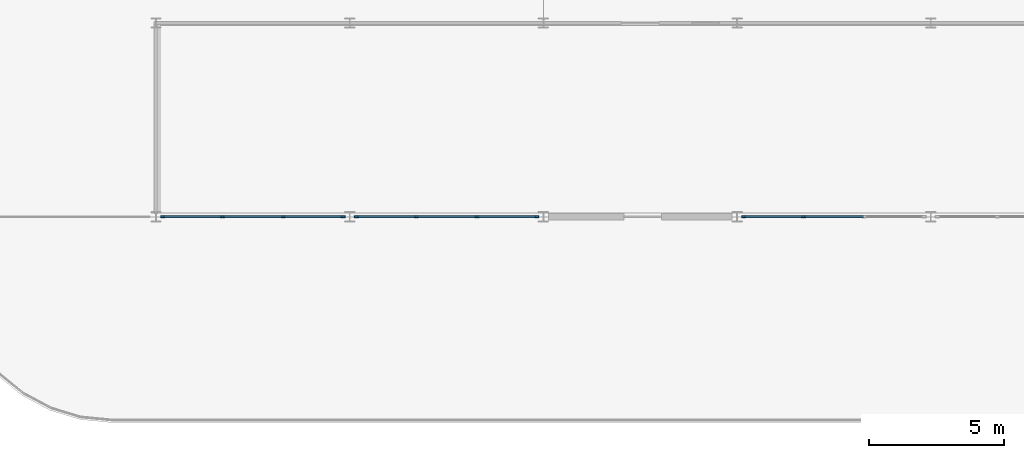
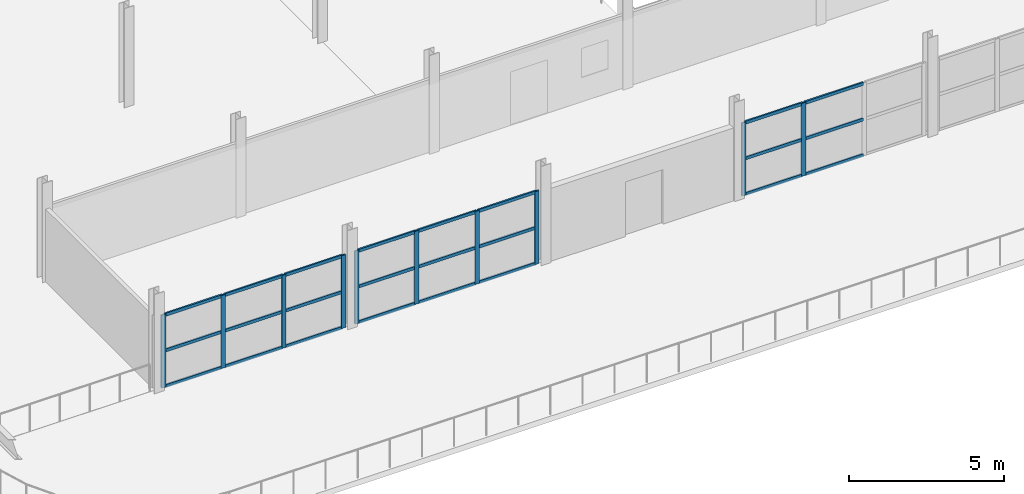
# One storey, part 13 of 40: 34 members, 3 elements without a shape of their own.
"""IFC4 building model written with IfcOpenShell, lengths in metres."""

from ifc_helpers import new_model, si_unit, direction, frame, origin, origin_2d, place, context, subcontext, project, spatial, rectangle, extrude, material, material_profile, profile_set, type_object, element, aggregate, save


model = new_model("IFC4")

# Units and contexts
model_context = context("Model", 3, precision=1e-05, world=origin(), true_north=direction((0.0, 1.0)))
body_context = subcontext(model_context, "Body", "Model", "MODEL_VIEW")
ifc_project = project(units=[si_unit("LENGTHUNIT", "METRE"), si_unit("AREAUNIT", "SQUARE_METRE"), si_unit("VOLUMEUNIT", "CUBIC_METRE"), si_unit("PLANEANGLEUNIT", "RADIAN"), si_unit("MASSUNIT", "GRAM", prefix="KILO")], contexts=[model_context])

# Site, building, storey
site_placement = place(None, origin())
site = spatial("IfcSite", under=ifc_project, at=site_placement, CompositionType="ELEMENT")
building_placement = place(site_placement, origin())
building = spatial("IfcBuilding", under=site, at=building_placement, Name="Vaelcorin Mobility Hub", CompositionType="ELEMENT")
storey_placement = place(building_placement, frame((0.0, 0.0, 17.10009765625)))
storey = spatial("IfcBuildingStorey", under=building, at=storey_placement, Name="L04", CompositionType="ELEMENT", Elevation=17.10009765625)

# Curtain wall, members
ifc_material = material(Name="Anodised aluminium 6063-T6", Category="aluminium")
curtain_wall_type = type_object("IfcCurtainWallType", Name="CW-MOB-A", PredefinedType="NOTDEFINED", material=ifc_material)
curtain_wall_1_placement = place(storey_placement, origin())
curtain_wall_1 = element("IfcCurtainWall", 1, at=curtain_wall_1_placement, inside=storey, type_object=curtain_wall_type, Name="L04 Curtain Wall CW-V4-L04-S-02", PredefinedType="NOTDEFINED")
ifc_material_profile_1 = material_profile(ifc_material, rectangle(XDim=0.06005859375, YDim=0.159912109375, at=origin_2d()), Name="ALU-M60X160")
ifc_profile_set_1 = profile_set([ifc_material_profile_1], Name="Anodised aluminium 6063-T6")
member_type_1 = type_object("IfcMemberType", Name="CW-MULL-160", PredefinedType="MULLION", material=ifc_profile_set_1)
member_1_placement = place(storey_placement, frame((50.14990234375, 84.0, 0.0), z_axis=(0.0, 0.0, 1.0), x_axis=(0.0, -1.0, 0.0)))
member_1 = element("IfcMember", 2, at=member_1_placement, type_object=member_type_1, Name="CW7 mullion 1", PredefinedType="MULLION", context=body_context, shape_type="SweptSolid", body=[
    extrude(rectangle(XDim=0.06005859375, YDim=0.159912109375, at=origin_2d()), origin(), (0.0, 0.0, 1.0), 2.867919921875),
])
member_2_placement = place(storey_placement, frame((47.9267578125, 84.0, 0.0), z_axis=(0.0, 0.0, 1.0), x_axis=(0.0, -1.0, 0.0)))
member_2 = element("IfcMember", 3, at=member_2_placement, type_object=member_type_1, Name="CW7 mullion 2", PredefinedType="MULLION", context=body_context, shape_type="SweptSolid", body=[
    extrude(rectangle(XDim=0.06005859375, YDim=0.159912109375, at=origin_2d()), origin(), (0.0, 0.0, 1.0), 2.867919921875),
])
member_3_placement = place(storey_placement, frame((45.67333984375, 84.0, 0.0), z_axis=(0.0, 0.0, 1.0), x_axis=(0.0, -1.0, 0.0)))
member_3 = element("IfcMember", 4, at=member_3_placement, type_object=member_type_1, Name="CW7 mullion 3", PredefinedType="MULLION", context=body_context, shape_type="SweptSolid", body=[
    extrude(rectangle(XDim=0.06005859375, YDim=0.159912109375, at=origin_2d()), origin(), (0.0, 0.0, 1.0), 2.867919921875),
])
member_4_placement = place(storey_placement, frame((43.449951171875, 84.0, 0.0), z_axis=(0.0, 0.0, 1.0), x_axis=(0.0, -1.0, 0.0)))
member_4 = element("IfcMember", 5, at=member_4_placement, type_object=member_type_1, Name="CW7 mullion 4", PredefinedType="MULLION", context=body_context, shape_type="SweptSolid", body=[
    extrude(rectangle(XDim=0.06005859375, YDim=0.159912109375, at=origin_2d()), origin(), (0.0, 0.0, 1.0), 2.867919921875),
])

curtain_wall_2_placement = place(storey_placement, origin())
curtain_wall_2 = element("IfcCurtainWall", 6, at=curtain_wall_2_placement, inside=storey, type_object=curtain_wall_type, Name="L04 Curtain Wall CW-V4-L04-S-03", PredefinedType="NOTDEFINED")
member_5_placement = place(storey_placement, frame((57.35009765625, 84.0, 0.0), z_axis=(0.0, 0.0, 1.0), x_axis=(0.0, -1.0, 0.0)))
member_5 = element("IfcMember", 7, at=member_5_placement, type_object=member_type_1, Name="CW7 mullion 1", PredefinedType="MULLION", context=body_context, shape_type="SweptSolid", body=[
    extrude(rectangle(XDim=0.06005859375, YDim=0.159912109375, at=origin_2d()), origin(), (0.0, 0.0, 1.0), 2.867919921875),
])
member_6_placement = place(storey_placement, frame((55.126708984375, 84.0, 0.0), z_axis=(0.0, 0.0, 1.0), x_axis=(0.0, -1.0, 0.0)))
member_6 = element("IfcMember", 8, at=member_6_placement, type_object=member_type_1, Name="CW7 mullion 2", PredefinedType="MULLION", context=body_context, shape_type="SweptSolid", body=[
    extrude(rectangle(XDim=0.06005859375, YDim=0.159912109375, at=origin_2d()), origin(), (0.0, 0.0, 1.0), 2.867919921875),
])
member_7_placement = place(storey_placement, frame((52.873291015625, 84.0, 0.0), z_axis=(0.0, 0.0, 1.0), x_axis=(0.0, -1.0, 0.0)))
member_7 = element("IfcMember", 9, at=member_7_placement, type_object=member_type_1, Name="CW7 mullion 3", PredefinedType="MULLION", context=body_context, shape_type="SweptSolid", body=[
    extrude(rectangle(XDim=0.06005859375, YDim=0.159912109375, at=origin_2d()), origin(), (0.0, 0.0, 1.0), 2.867919921875),
])
member_8_placement = place(storey_placement, frame((50.64990234375, 84.0, 0.0), z_axis=(0.0, 0.0, 1.0), x_axis=(0.0, -1.0, 0.0)))
member_8 = element("IfcMember", 10, at=member_8_placement, type_object=member_type_1, Name="CW7 mullion 4", PredefinedType="MULLION", context=body_context, shape_type="SweptSolid", body=[
    extrude(rectangle(XDim=0.06005859375, YDim=0.159912109375, at=origin_2d()), origin(), (0.0, 0.0, 1.0), 2.867919921875),
])

curtain_wall_3_placement = place(storey_placement, origin())
curtain_wall_3 = element("IfcCurtainWall", 11, at=curtain_wall_3_placement, inside=storey, type_object=curtain_wall_type, Name="L04 Curtain Wall CW-V4-L04-S-05", PredefinedType="NOTDEFINED")
member_9_placement = place(storey_placement, frame((67.2734375, 84.0, 0.0), z_axis=(0.0, 0.0, 1.0), x_axis=(0.0, -1.0, 0.0)))
member_9 = element("IfcMember", 12, at=member_9_placement, type_object=member_type_1, Name="CW7 mullion 3", PredefinedType="MULLION", context=body_context, shape_type="SweptSolid", body=[
    extrude(rectangle(XDim=0.06005859375, YDim=0.159912109375, at=origin_2d()), origin(), (0.0, 0.0, 1.0), 2.867919921875),
])
member_10_placement = place(storey_placement, frame((65.050048828125, 84.0, 0.0), z_axis=(0.0, 0.0, 1.0), x_axis=(0.0, -1.0, 0.0)))
member_10 = element("IfcMember", 13, at=member_10_placement, type_object=member_type_1, Name="CW7 mullion 4", PredefinedType="MULLION", context=body_context, shape_type="SweptSolid", body=[
    extrude(rectangle(XDim=0.06005859375, YDim=0.159912109375, at=origin_2d()), origin(), (0.0, 0.0, 1.0), 2.867919921875),
])

# Member
ifc_material_profile_2 = material_profile(ifc_material, rectangle(XDim=0.06005859375, YDim=0.1201171875, at=origin_2d()), Name="ALU-T60X120")
ifc_profile_set_2 = profile_set([ifc_material_profile_2], Name="Anodised aluminium 6063-T6")
member_type_2 = type_object("IfcMemberType", Name="CW-TRAN-140", PredefinedType="USERDEFINED", material=ifc_profile_set_2)
member_11_placement = place(storey_placement, frame((50.1201171875, 84.0, 0.02978515625), z_axis=(-1.0, 0.0, 0.0), x_axis=(0.0, -1.0, 0.0)))
member_11 = element("IfcMember", 14, at=member_11_placement, type_object=member_type_2, Name="CW7 transom 1.1", ObjectType="TRANSOM", PredefinedType="USERDEFINED", context=body_context, shape_type="SweptSolid", body=[
    extrude(rectangle(XDim=0.06005859375, YDim=0.1201171875, at=origin_2d()), origin(), (0.0, 0.0, 1.0), 2.163330078125),
])

member_12_placement = place(storey_placement, frame((50.1201171875, 84.0, 1.433837890625), z_axis=(-1.0, 0.0, 0.0), x_axis=(0.0, -1.0, 0.0)))
member_12 = element("IfcMember", 15, at=member_12_placement, type_object=member_type_2, Name="CW7 transom 1.2", ObjectType="TRANSOM", PredefinedType="USERDEFINED", context=body_context, shape_type="SweptSolid", body=[
    extrude(rectangle(XDim=0.06005859375, YDim=0.1201171875, at=origin_2d()), origin(), (0.0, 0.0, 1.0), 2.163330078125),
])

member_13_placement = place(storey_placement, frame((50.1201171875, 84.0, 2.837890625), z_axis=(-1.0, 0.0, 0.0), x_axis=(0.0, -1.0, 0.0)))
member_13 = element("IfcMember", 16, at=member_13_placement, type_object=member_type_2, Name="CW7 transom 1.3", ObjectType="TRANSOM", PredefinedType="USERDEFINED", context=body_context, shape_type="SweptSolid", body=[
    extrude(rectangle(XDim=0.06005859375, YDim=0.1201171875, at=origin_2d()), origin(), (0.0, 0.0, 1.0), 2.163330078125),
])

member_14_placement = place(storey_placement, frame((47.896728515625, 84.0, 0.02978515625), z_axis=(-1.0, 0.0, 0.0), x_axis=(0.0, -1.0, 0.0)))
member_14 = element("IfcMember", 17, at=member_14_placement, type_object=member_type_2, Name="CW7 transom 2.1", ObjectType="TRANSOM", PredefinedType="USERDEFINED", context=body_context, shape_type="SweptSolid", body=[
    extrude(rectangle(XDim=0.06005859375, YDim=0.1201171875, at=origin_2d()), origin(), (0.0, 0.0, 1.0), 2.193359375),
])

member_15_placement = place(storey_placement, frame((47.896728515625, 84.0, 1.433837890625), z_axis=(-1.0, 0.0, 0.0), x_axis=(0.0, -1.0, 0.0)))
member_15 = element("IfcMember", 18, at=member_15_placement, type_object=member_type_2, Name="CW7 transom 2.2", ObjectType="TRANSOM", PredefinedType="USERDEFINED", context=body_context, shape_type="SweptSolid", body=[
    extrude(rectangle(XDim=0.06005859375, YDim=0.1201171875, at=origin_2d()), origin(), (0.0, 0.0, 1.0), 2.193359375),
])

member_16_placement = place(storey_placement, frame((47.896728515625, 84.0, 2.837890625), z_axis=(-1.0, 0.0, 0.0), x_axis=(0.0, -1.0, 0.0)))
member_16 = element("IfcMember", 19, at=member_16_placement, type_object=member_type_2, Name="CW7 transom 2.3", ObjectType="TRANSOM", PredefinedType="USERDEFINED", context=body_context, shape_type="SweptSolid", body=[
    extrude(rectangle(XDim=0.06005859375, YDim=0.1201171875, at=origin_2d()), origin(), (0.0, 0.0, 1.0), 2.193359375),
])

member_17_placement = place(storey_placement, frame((45.643310546875, 84.0, 0.02978515625), z_axis=(-1.0, 0.0, 0.0), x_axis=(0.0, -1.0, 0.0)))
member_17 = element("IfcMember", 20, at=member_17_placement, type_object=member_type_2, Name="CW7 transom 3.1", ObjectType="TRANSOM", PredefinedType="USERDEFINED", context=body_context, shape_type="SweptSolid", body=[
    extrude(rectangle(XDim=0.06005859375, YDim=0.1201171875, at=origin_2d()), origin(), (0.0, 0.0, 1.0), 2.163330078125),
])

member_18_placement = place(storey_placement, frame((45.643310546875, 84.0, 1.433837890625), z_axis=(-1.0, 0.0, 0.0), x_axis=(0.0, -1.0, 0.0)))
member_18 = element("IfcMember", 21, at=member_18_placement, type_object=member_type_2, Name="CW7 transom 3.2", ObjectType="TRANSOM", PredefinedType="USERDEFINED", context=body_context, shape_type="SweptSolid", body=[
    extrude(rectangle(XDim=0.06005859375, YDim=0.1201171875, at=origin_2d()), origin(), (0.0, 0.0, 1.0), 2.163330078125),
])

member_19_placement = place(storey_placement, frame((45.643310546875, 84.0, 2.837890625), z_axis=(-1.0, 0.0, 0.0), x_axis=(0.0, -1.0, 0.0)))
member_19 = element("IfcMember", 22, at=member_19_placement, type_object=member_type_2, Name="CW7 transom 3.3", ObjectType="TRANSOM", PredefinedType="USERDEFINED", context=body_context, shape_type="SweptSolid", body=[
    extrude(rectangle(XDim=0.06005859375, YDim=0.1201171875, at=origin_2d()), origin(), (0.0, 0.0, 1.0), 2.163330078125),
])

aggregate(curtain_wall_1, [member_1, member_2, member_3, member_4, member_11, member_12, member_13, member_14, member_15, member_16, member_17, member_18, member_19])

member_20_placement = place(storey_placement, frame((57.320068359375, 84.0, 0.02978515625), z_axis=(-1.0, 0.0, 0.0), x_axis=(0.0, -1.0, 0.0)))
member_20 = element("IfcMember", 23, at=member_20_placement, type_object=member_type_2, Name="CW7 transom 1.1", ObjectType="TRANSOM", PredefinedType="USERDEFINED", context=body_context, shape_type="SweptSolid", body=[
    extrude(rectangle(XDim=0.06005859375, YDim=0.1201171875, at=origin_2d()), origin(), (0.0, 0.0, 1.0), 2.163330078125),
])

member_21_placement = place(storey_placement, frame((57.320068359375, 84.0, 1.433837890625), z_axis=(-1.0, 0.0, 0.0), x_axis=(0.0, -1.0, 0.0)))
member_21 = element("IfcMember", 24, at=member_21_placement, type_object=member_type_2, Name="CW7 transom 1.2", ObjectType="TRANSOM", PredefinedType="USERDEFINED", context=body_context, shape_type="SweptSolid", body=[
    extrude(rectangle(XDim=0.06005859375, YDim=0.1201171875, at=origin_2d()), origin(), (0.0, 0.0, 1.0), 2.163330078125),
])

member_22_placement = place(storey_placement, frame((57.320068359375, 84.0, 2.837890625), z_axis=(-1.0, 0.0, 0.0), x_axis=(0.0, -1.0, 0.0)))
member_22 = element("IfcMember", 25, at=member_22_placement, type_object=member_type_2, Name="CW7 transom 1.3", ObjectType="TRANSOM", PredefinedType="USERDEFINED", context=body_context, shape_type="SweptSolid", body=[
    extrude(rectangle(XDim=0.06005859375, YDim=0.1201171875, at=origin_2d()), origin(), (0.0, 0.0, 1.0), 2.163330078125),
])

member_23_placement = place(storey_placement, frame((55.0966796875, 84.0, 0.02978515625), z_axis=(-1.0, 0.0, 0.0), x_axis=(0.0, -1.0, 0.0)))
member_23 = element("IfcMember", 26, at=member_23_placement, type_object=member_type_2, Name="CW7 transom 2.1", ObjectType="TRANSOM", PredefinedType="USERDEFINED", context=body_context, shape_type="SweptSolid", body=[
    extrude(rectangle(XDim=0.06005859375, YDim=0.1201171875, at=origin_2d()), origin(), (0.0, 0.0, 1.0), 2.193359375),
])

member_24_placement = place(storey_placement, frame((55.0966796875, 84.0, 1.433837890625), z_axis=(-1.0, 0.0, 0.0), x_axis=(0.0, -1.0, 0.0)))
member_24 = element("IfcMember", 27, at=member_24_placement, type_object=member_type_2, Name="CW7 transom 2.2", ObjectType="TRANSOM", PredefinedType="USERDEFINED", context=body_context, shape_type="SweptSolid", body=[
    extrude(rectangle(XDim=0.06005859375, YDim=0.1201171875, at=origin_2d()), origin(), (0.0, 0.0, 1.0), 2.193359375),
])

member_25_placement = place(storey_placement, frame((55.0966796875, 84.0, 2.837890625), z_axis=(-1.0, 0.0, 0.0), x_axis=(0.0, -1.0, 0.0)))
member_25 = element("IfcMember", 28, at=member_25_placement, type_object=member_type_2, Name="CW7 transom 2.3", ObjectType="TRANSOM", PredefinedType="USERDEFINED", context=body_context, shape_type="SweptSolid", body=[
    extrude(rectangle(XDim=0.06005859375, YDim=0.1201171875, at=origin_2d()), origin(), (0.0, 0.0, 1.0), 2.193359375),
])

member_26_placement = place(storey_placement, frame((52.84326171875, 84.0, 0.02978515625), z_axis=(-1.0, 0.0, 0.0), x_axis=(0.0, -1.0, 0.0)))
member_26 = element("IfcMember", 29, at=member_26_placement, type_object=member_type_2, Name="CW7 transom 3.1", ObjectType="TRANSOM", PredefinedType="USERDEFINED", context=body_context, shape_type="SweptSolid", body=[
    extrude(rectangle(XDim=0.06005859375, YDim=0.1201171875, at=origin_2d()), origin(), (0.0, 0.0, 1.0), 2.163330078125),
])

member_27_placement = place(storey_placement, frame((52.84326171875, 84.0, 1.433837890625), z_axis=(-1.0, 0.0, 0.0), x_axis=(0.0, -1.0, 0.0)))
member_27 = element("IfcMember", 30, at=member_27_placement, type_object=member_type_2, Name="CW7 transom 3.2", ObjectType="TRANSOM", PredefinedType="USERDEFINED", context=body_context, shape_type="SweptSolid", body=[
    extrude(rectangle(XDim=0.06005859375, YDim=0.1201171875, at=origin_2d()), origin(), (0.0, 0.0, 1.0), 2.163330078125),
])

member_28_placement = place(storey_placement, frame((52.84326171875, 84.0, 2.837890625), z_axis=(-1.0, 0.0, 0.0), x_axis=(0.0, -1.0, 0.0)))
member_28 = element("IfcMember", 31, at=member_28_placement, type_object=member_type_2, Name="CW7 transom 3.3", ObjectType="TRANSOM", PredefinedType="USERDEFINED", context=body_context, shape_type="SweptSolid", body=[
    extrude(rectangle(XDim=0.06005859375, YDim=0.1201171875, at=origin_2d()), origin(), (0.0, 0.0, 1.0), 2.163330078125),
])

aggregate(curtain_wall_2, [member_5, member_6, member_7, member_8, member_20, member_21, member_22, member_23, member_24, member_25, member_26, member_27, member_28])

member_29_placement = place(storey_placement, frame((69.49658203125, 84.0, 0.02978515625), z_axis=(-1.0, 0.0, 0.0), x_axis=(0.0, -1.0, 0.0)))
member_29 = element("IfcMember", 32, at=member_29_placement, type_object=member_type_2, Name="CW7 transom 2.1", ObjectType="TRANSOM", PredefinedType="USERDEFINED", context=body_context, shape_type="SweptSolid", body=[
    extrude(rectangle(XDim=0.06005859375, YDim=0.1201171875, at=origin_2d()), origin(), (0.0, 0.0, 1.0), 2.193359375),
])

member_30_placement = place(storey_placement, frame((69.49658203125, 84.0, 1.433837890625), z_axis=(-1.0, 0.0, 0.0), x_axis=(0.0, -1.0, 0.0)))
member_30 = element("IfcMember", 33, at=member_30_placement, type_object=member_type_2, Name="CW7 transom 2.2", ObjectType="TRANSOM", PredefinedType="USERDEFINED", context=body_context, shape_type="SweptSolid", body=[
    extrude(rectangle(XDim=0.06005859375, YDim=0.1201171875, at=origin_2d()), origin(), (0.0, 0.0, 1.0), 2.193359375),
])

member_31_placement = place(storey_placement, frame((69.49658203125, 84.0, 2.837890625), z_axis=(-1.0, 0.0, 0.0), x_axis=(0.0, -1.0, 0.0)))
member_31 = element("IfcMember", 34, at=member_31_placement, type_object=member_type_2, Name="CW7 transom 2.3", ObjectType="TRANSOM", PredefinedType="USERDEFINED", context=body_context, shape_type="SweptSolid", body=[
    extrude(rectangle(XDim=0.06005859375, YDim=0.1201171875, at=origin_2d()), origin(), (0.0, 0.0, 1.0), 2.193359375),
])

member_32_placement = place(storey_placement, frame((67.243408203125, 84.0, 0.02978515625), z_axis=(-1.0, 0.0, 0.0), x_axis=(0.0, -1.0, 0.0)))
member_32 = element("IfcMember", 35, at=member_32_placement, type_object=member_type_2, Name="CW7 transom 3.1", ObjectType="TRANSOM", PredefinedType="USERDEFINED", context=body_context, shape_type="SweptSolid", body=[
    extrude(rectangle(XDim=0.06005859375, YDim=0.1201171875, at=origin_2d()), origin(), (0.0, 0.0, 1.0), 2.163330078125),
])

member_33_placement = place(storey_placement, frame((67.243408203125, 84.0, 1.433837890625), z_axis=(-1.0, 0.0, 0.0), x_axis=(0.0, -1.0, 0.0)))
member_33 = element("IfcMember", 36, at=member_33_placement, type_object=member_type_2, Name="CW7 transom 3.2", ObjectType="TRANSOM", PredefinedType="USERDEFINED", context=body_context, shape_type="SweptSolid", body=[
    extrude(rectangle(XDim=0.06005859375, YDim=0.1201171875, at=origin_2d()), origin(), (0.0, 0.0, 1.0), 2.163330078125),
])

member_34_placement = place(storey_placement, frame((67.243408203125, 84.0, 2.837890625), z_axis=(-1.0, 0.0, 0.0), x_axis=(0.0, -1.0, 0.0)))
member_34 = element("IfcMember", 37, at=member_34_placement, type_object=member_type_2, Name="CW7 transom 3.3", ObjectType="TRANSOM", PredefinedType="USERDEFINED", context=body_context, shape_type="SweptSolid", body=[
    extrude(rectangle(XDim=0.06005859375, YDim=0.1201171875, at=origin_2d()), origin(), (0.0, 0.0, 1.0), 2.163330078125),
])

aggregate(curtain_wall_3, [member_9, member_10, member_29, member_30, member_31, member_32, member_33, member_34])

save(model, "model.ifc")
